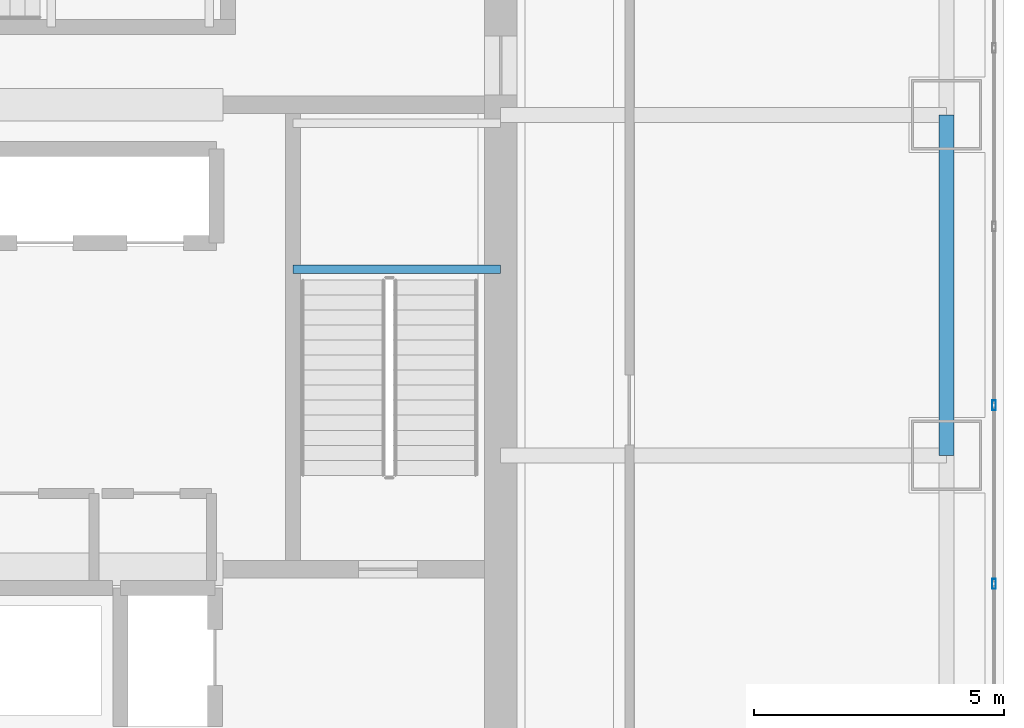
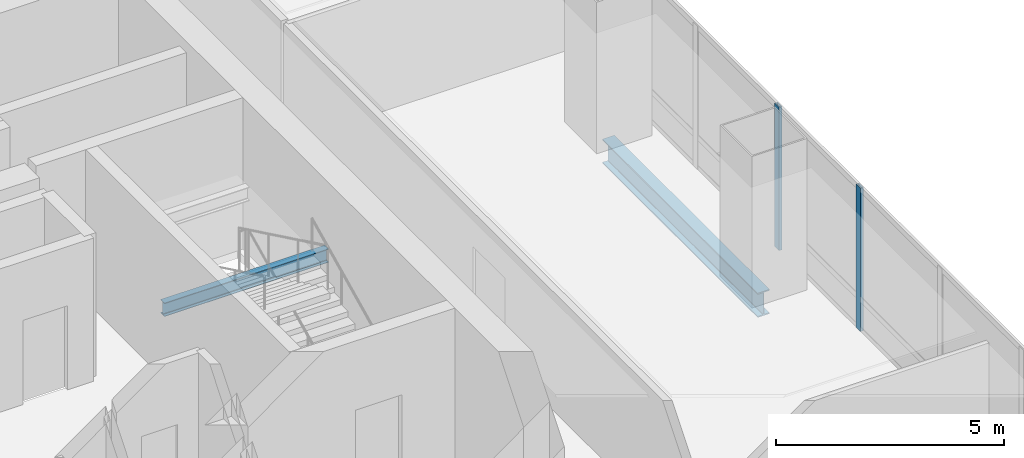
# One storey, part 15 of 36: 2 beams, 2 members, 1 element without a shape of its own.
"""IFC4 building model written with IfcOpenShell, lengths in metres."""

from ifc_helpers import new_model, si_unit, direction, frame, origin, origin_2d, place, context, subcontext, project, spatial, hollow_rectangle, i_section, extrude, material, material_profile, profile_set, type_object, element, aggregate, save


model = new_model("IFC4")

# Units and contexts
model_context = context("Model", 3, precision=1e-05, world=origin(), true_north=direction((0.0, 1.0)))
body_context = subcontext(model_context, "Body", "Model", "MODEL_VIEW")
ifc_project = project(units=[si_unit("LENGTHUNIT", "METRE"), si_unit("AREAUNIT", "SQUARE_METRE"), si_unit("VOLUMEUNIT", "CUBIC_METRE"), si_unit("PLANEANGLEUNIT", "RADIAN"), si_unit("MASSUNIT", "GRAM", prefix="KILO")], contexts=[model_context])

# Site, building, storey
site_placement = place(None, origin())
site = spatial("IfcSite", under=ifc_project, at=site_placement, CompositionType="ELEMENT")
building_placement = place(site_placement, origin())
building = spatial("IfcBuilding", under=site, at=building_placement, Name="Punatoya Terracotta Tower", CompositionType="ELEMENT")
storey_placement = place(building_placement, frame((0.0, 0.0, 184.35009765625)))
storey = spatial("IfcBuildingStorey", under=building, at=storey_placement, Name="L43", CompositionType="ELEMENT", Elevation=184.35009765625)

# Beams
ifc_material_1 = material(Name="Steel S355", Category="steel")
ifc_material_profile_1 = material_profile(ifc_material_1, i_section(OverallWidth=0.300048828125, OverallDepth=0.64990234375, WebThickness=0.01611328125, FlangeThickness=0.031005859375, FilletRadius=0.01806640625, at=origin_2d()))
ifc_profile_set_1 = profile_set([ifc_material_profile_1], Name="Steel S355")
beam_type_1 = type_object("IfcBeamType", Name="BM-PRI-650", PredefinedType="BEAM", material=ifc_profile_set_1)
beam_1_placement = place(storey_placement, frame((19.10009765625, -3.39990234375, -0.545166015625), z_axis=(0.0, 1.0, 0.0), x_axis=(-1.0, 0.0, 0.0)))
element("IfcBeam", 1, at=beam_1_placement, inside=storey, type_object=beam_type_1, Name="BM-L43-RG-E2", PredefinedType="BEAM", context=body_context, shape_type="SweptSolid", body=[
    extrude(i_section(OverallWidth=0.300048828125, OverallDepth=0.64990234375, WebThickness=0.01611328125, FlangeThickness=0.031005859375, FilletRadius=0.01806640625, at=origin_2d()), origin(), (0.0, 0.0, 1.0), 6.7998046875),
])
ifc_material_profile_2 = material_profile(ifc_material_1, i_section(OverallWidth=0.169921875, OverallDepth=0.360107421875, WebThickness=0.008056640625, FlangeThickness=0.0126953125, FilletRadius=0.01806640625, at=origin_2d()))
ifc_profile_set_2 = profile_set([ifc_material_profile_2], Name="Steel S355")
beam_type_2 = type_object("IfcBeamType", Name="BM-SEC-360", PredefinedType="JOIST", material=ifc_profile_set_2)
beam_2_placement = place(storey_placement, frame((6.050048828125, 0.320068359375, 1.64501953125), z_axis=(1.0, 0.0, 0.0), x_axis=(0.0, 1.0, 0.0)))
element("IfcBeam", 2, at=beam_2_placement, inside=storey, type_object=beam_type_2, Name="BM-L43-ST-2-LD1A", PredefinedType="JOIST", context=body_context, shape_type="SweptSolid", body=[
    extrude(i_section(OverallWidth=0.169921875, OverallDepth=0.360107421875, WebThickness=0.008056640625, FlangeThickness=0.0126953125, FilletRadius=0.01806640625, at=origin_2d()), origin(), (0.0, 0.0, 1.0), 4.14990234375),
])

# Curtain wall, members
ifc_material_2 = material(Name="Aluminium 6063-T6 + Double Low-E Glass", Category="aluminium")
curtain_wall_type = type_object("IfcCurtainWallType", Name="CW-M2", PredefinedType="NOTDEFINED", material=ifc_material_2)
curtain_wall_placement = place(storey_placement, origin())
curtain_wall = element("IfcCurtainWall", 3, at=curtain_wall_placement, inside=storey, type_object=curtain_wall_type, Name="L43 Curtain Wall CW-L43-E05-1", PredefinedType="NOTDEFINED")
ifc_material_3 = material(Name="Aluminium 6063-T6", Category="aluminium")
ifc_material_profile_3 = material_profile(ifc_material_3, hollow_rectangle(XDim=0.072021484375, YDim=0.195068359375, WallThickness=0.00439453125, at=origin_2d()))
ifc_profile_set_3 = profile_set([ifc_material_profile_3], Name="Aluminium 6063-T6")
member_type = type_object("IfcMemberType", Name="CW-MUL-M2", PredefinedType="MULLION", material=ifc_profile_set_3)
member_1_placement = place(storey_placement, frame((20.050048828125, -5.96728515625, 0.0), z_axis=(0.0, 0.0, 1.0), x_axis=(1.0, 0.0, 0.0)))
member_1 = element("IfcMember", 4, at=member_1_placement, type_object=member_type, Name="CW-L43-E05-1 Mullion 04", PredefinedType="MULLION", context=body_context, shape_type="SweptSolid", body=[
    extrude(hollow_rectangle(XDim=0.072021484375, YDim=0.195068359375, WallThickness=0.00439453125, at=origin_2d()), origin(), (0.0, 0.0, 1.0), 3.829833984375),
])
member_2_placement = place(storey_placement, frame((20.050048828125, -2.39990234375, 0.0), z_axis=(0.0, 0.0, 1.0), x_axis=(1.0, 0.0, 0.0)))
member_2 = element("IfcMember", 5, at=member_2_placement, type_object=member_type, Name="CW-L43-E05-1 Mullion 05", PredefinedType="MULLION", context=body_context, shape_type="SweptSolid", body=[
    extrude(hollow_rectangle(XDim=0.072021484375, YDim=0.195068359375, WallThickness=0.00439453125, at=origin_2d()), origin(), (0.0, 0.0, 1.0), 3.829833984375),
])
aggregate(curtain_wall, [member_1, member_2])

save(model, "model.ifc")
